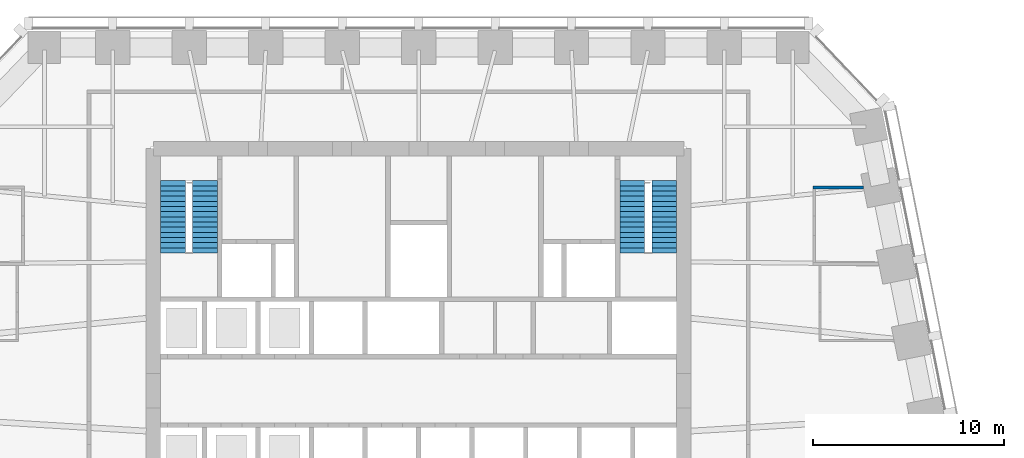
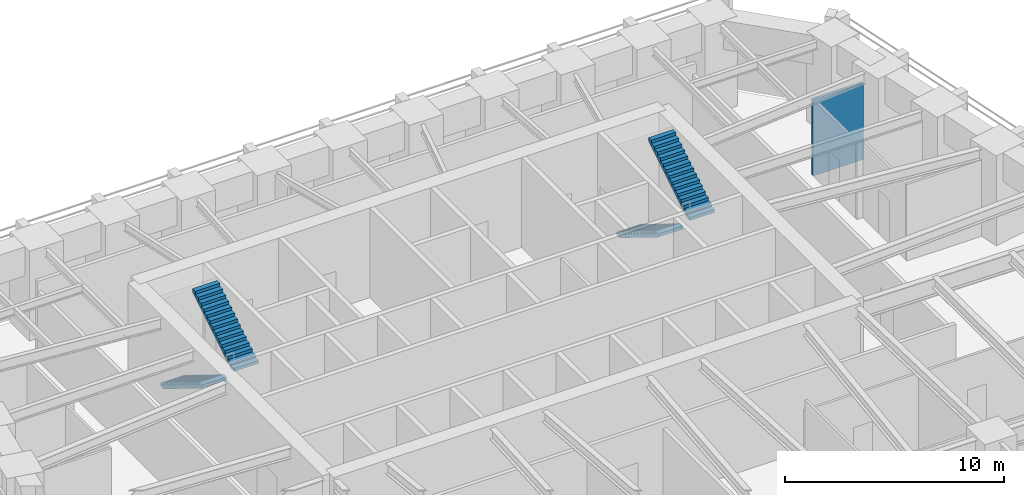
# One storey, part 8 of 11: 4 stair flights, 1 wall, 2 elements without a shape of their own.
"""IFC4 building model written with IfcOpenShell, lengths in metres."""

from ifc_helpers import new_model, si_unit, direction, frame, frame_2d, origin, place, context, subcontext, project, spatial, polyline, rectangle, outline, extrude, material, layer, layer_set, type_object, element, aggregate, save


model = new_model("IFC4")

# Units and contexts
model_context = context("Model", 3, precision=1e-05, world=origin(), true_north=direction((0.0, 1.0)))
body_context = subcontext(model_context, "Body", "Model", "MODEL_VIEW")
ifc_project = project(units=[si_unit("LENGTHUNIT", "METRE"), si_unit("AREAUNIT", "SQUARE_METRE"), si_unit("VOLUMEUNIT", "CUBIC_METRE"), si_unit("PLANEANGLEUNIT", "RADIAN"), si_unit("MASSUNIT", "GRAM", prefix="KILO")], contexts=[model_context])

# Site, building, storey
site_placement = place(None, origin())
site = spatial("IfcSite", under=ifc_project, at=site_placement, CompositionType="ELEMENT")
building_placement = place(site_placement, origin())
building = spatial("IfcBuilding", under=site, at=building_placement, Name="Isbrekke Arena Tower", CompositionType="ELEMENT")
storey_placement = place(building_placement, frame((0.0, 0.0, 98.0)))
storey = spatial("IfcBuildingStorey", under=building, at=storey_placement, Name="L21", CompositionType="ELEMENT", Elevation=98.0)

# Wall
ifc_material_1 = material(Name="Gypsum board partition on steel studs", Category="steel")
ifc_layer = layer(ifc_material_1, 0.14990234375)
ifc_layer_set = layer_set([ifc_layer], Name="IW1 PARTITION 150")
wall_type = type_object("IfcWallType", Name="IW1 PARTITION 150", PredefinedType="PARTITIONING", material=ifc_layer_set)
wall_placement = place(storey_placement, frame((20.625, 21.840087890625, 0.0), z_axis=(0.0, 0.0, 1.0), x_axis=(1.0, 0.0, 0.0)))
element("IfcWall", 1, at=wall_placement, inside=storey, type_object=wall_type, Name="IW1 partition 150 L21", PredefinedType="PARTITIONING", context=body_context, shape_type="SweptSolid", body=[
    extrude(rectangle(XDim=2.647705078125, YDim=0.14990234375, at=frame_2d((1.32373046875, 0.0))), origin(), (0.0, 0.0, 1.0), 4.25),
])

# Stair, stair flights
ifc_material_2 = material(Name="Concrete B45 (C45/55) precast", Category="concrete")
stair_type = type_object("IfcStairType", Name="ST50 STAIR 1300 WIDE, 30 RISERS 167", PredefinedType="HALF_TURN_STAIR", material=ifc_material_2)
stair_1_placement = place(storey_placement, origin())
stair_1 = element("IfcStair", 2, at=stair_1_placement, inside=storey, type_object=stair_type, Name="ST1 stair L21", PredefinedType="HALF_TURN_STAIR")
ifc_material_3 = material(Name="Concrete B45 (C45/55) precast", Category="concrete")
stair_flight_type = type_object("IfcStairFlightType", Name="SF 1300 FLIGHT", PredefinedType="STRAIGHT", material=ifc_material_3)
stair_flight_1_placement = place(storey_placement, frame((-12.85009765625, 22.199951171875, 0.0), z_axis=(0.0, 0.0, 1.0), x_axis=(0.0, -1.0, 0.0)))
stair_flight_1 = element("IfcStairFlight", 3, at=stair_flight_1_placement, type_object=stair_flight_type, Name="ST1 flight 1", NumberOfRisers=15, NumberOfTreads=14, PredefinedType="STRAIGHT", RiserHeight=0.166666667, TreadLength=0.27, context=body_context, shape_type="SweptSolid", body=[
    extrude(outline(polyline([(0.0, 0.0), (0.0, 0.166748046875), (0.27001953125, 0.166748046875), (0.27001953125, 0.333251953125), (0.5400390625, 0.333251953125), (0.5400390625, 0.5), (0.81005859375, 0.5), (0.81005859375, 0.666748046875), (1.080078125, 0.666748046875), (1.080078125, 0.833251953125), (1.35009765625, 0.833251953125), (1.35009765625, 1.0), (1.6201171875, 1.0), (1.6201171875, 1.166748046875), (1.889892578125, 1.166748046875), (1.889892578125, 1.333251953125), (2.159912109375, 1.333251953125), (2.159912109375, 1.5), (2.429931640625, 1.5), (2.429931640625, 1.666748046875), (2.699951171875, 1.666748046875), (2.699951171875, 1.833251953125), (2.969970703125, 1.833251953125), (2.969970703125, 2.0), (3.239990234375, 2.0), (3.239990234375, 2.166748046875), (3.510009765625, 2.166748046875), (3.510009765625, 2.333251953125), (3.780029296875, 2.333251953125), (3.780029296875, 2.5), (3.780029296875, 2.1572265625), (0.285400390625, 0.0), (0.0, 0.0)])), frame((0.0, 0.64990234375, 0.0), z_axis=(0.0, -1.0, 0.0), x_axis=(1.0, 0.0, 0.0)), (0.0, 0.0, 1.0), 1.300048828125),
])
stair_flight_2_placement = place(storey_placement, frame((-11.175048828125, 18.419921875, 2.5), z_axis=(0.0, 0.0, 1.0), x_axis=(0.0, 1.0, 0.0)))
stair_flight_2 = element("IfcStairFlight", 4, at=stair_flight_2_placement, type_object=stair_flight_type, Name="ST1 flight 2", NumberOfRisers=15, NumberOfTreads=14, PredefinedType="STRAIGHT", RiserHeight=0.166666667, TreadLength=0.27, context=body_context, shape_type="SweptSolid", body=[
    extrude(outline(polyline([(0.0, 0.0), (0.0, 0.166748046875), (0.27001953125, 0.166748046875), (0.27001953125, 0.333251953125), (0.5400390625, 0.333251953125), (0.5400390625, 0.5), (0.81005859375, 0.5), (0.81005859375, 0.666748046875), (1.080078125, 0.666748046875), (1.080078125, 0.833251953125), (1.35009765625, 0.833251953125), (1.35009765625, 1.0), (1.6201171875, 1.0), (1.6201171875, 1.166748046875), (1.889892578125, 1.166748046875), (1.889892578125, 1.333251953125), (2.159912109375, 1.333251953125), (2.159912109375, 1.5), (2.429931640625, 1.5), (2.429931640625, 1.666748046875), (2.699951171875, 1.666748046875), (2.699951171875, 1.833251953125), (2.969970703125, 1.833251953125), (2.969970703125, 2.0), (3.239990234375, 2.0), (3.239990234375, 2.166748046875), (3.510009765625, 2.166748046875), (3.510009765625, 2.333251953125), (3.780029296875, 2.333251953125), (3.780029296875, 2.5), (3.780029296875, 2.1572265625), (0.285400390625, 0.0), (0.0, 0.0)])), frame((0.0, 0.64990234375, 0.0), z_axis=(0.0, -1.0, 0.0), x_axis=(1.0, 0.0, 0.0)), (0.0, 0.0, 1.0), 1.300048828125),
])
aggregate(stair_1, [stair_flight_1, stair_flight_2])

stair_2_placement = place(storey_placement, origin())
stair_2 = element("IfcStair", 5, at=stair_2_placement, inside=storey, type_object=stair_type, Name="ST2 stair L21", PredefinedType="HALF_TURN_STAIR")
stair_flight_3_placement = place(storey_placement, frame((11.175048828125, 22.199951171875, 0.0), z_axis=(0.0, 0.0, 1.0), x_axis=(0.0, -1.0, 0.0)))
stair_flight_3 = element("IfcStairFlight", 6, at=stair_flight_3_placement, type_object=stair_flight_type, Name="ST2 flight 1", NumberOfRisers=15, NumberOfTreads=14, PredefinedType="STRAIGHT", RiserHeight=0.166666667, TreadLength=0.27, context=body_context, shape_type="SweptSolid", body=[
    extrude(outline(polyline([(0.0, 0.0), (0.0, 0.166748046875), (0.27001953125, 0.166748046875), (0.27001953125, 0.333251953125), (0.5400390625, 0.333251953125), (0.5400390625, 0.5), (0.81005859375, 0.5), (0.81005859375, 0.666748046875), (1.080078125, 0.666748046875), (1.080078125, 0.833251953125), (1.35009765625, 0.833251953125), (1.35009765625, 1.0), (1.6201171875, 1.0), (1.6201171875, 1.166748046875), (1.889892578125, 1.166748046875), (1.889892578125, 1.333251953125), (2.159912109375, 1.333251953125), (2.159912109375, 1.5), (2.429931640625, 1.5), (2.429931640625, 1.666748046875), (2.699951171875, 1.666748046875), (2.699951171875, 1.833251953125), (2.969970703125, 1.833251953125), (2.969970703125, 2.0), (3.239990234375, 2.0), (3.239990234375, 2.166748046875), (3.510009765625, 2.166748046875), (3.510009765625, 2.333251953125), (3.780029296875, 2.333251953125), (3.780029296875, 2.5), (3.780029296875, 2.1572265625), (0.285400390625, 0.0), (0.0, 0.0)])), frame((0.0, 0.64990234375, 0.0), z_axis=(0.0, -1.0, 0.0), x_axis=(1.0, 0.0, 0.0)), (0.0, 0.0, 1.0), 1.300048828125),
])
stair_flight_4_placement = place(storey_placement, frame((12.85009765625, 18.419921875, 2.5), z_axis=(0.0, 0.0, 1.0), x_axis=(0.0, 1.0, 0.0)))
stair_flight_4 = element("IfcStairFlight", 7, at=stair_flight_4_placement, type_object=stair_flight_type, Name="ST2 flight 2", NumberOfRisers=15, NumberOfTreads=14, PredefinedType="STRAIGHT", RiserHeight=0.166666667, TreadLength=0.27, context=body_context, shape_type="SweptSolid", body=[
    extrude(outline(polyline([(0.0, 0.0), (0.0, 0.166748046875), (0.27001953125, 0.166748046875), (0.27001953125, 0.333251953125), (0.5400390625, 0.333251953125), (0.5400390625, 0.5), (0.81005859375, 0.5), (0.81005859375, 0.666748046875), (1.080078125, 0.666748046875), (1.080078125, 0.833251953125), (1.35009765625, 0.833251953125), (1.35009765625, 1.0), (1.6201171875, 1.0), (1.6201171875, 1.166748046875), (1.889892578125, 1.166748046875), (1.889892578125, 1.333251953125), (2.159912109375, 1.333251953125), (2.159912109375, 1.5), (2.429931640625, 1.5), (2.429931640625, 1.666748046875), (2.699951171875, 1.666748046875), (2.699951171875, 1.833251953125), (2.969970703125, 1.833251953125), (2.969970703125, 2.0), (3.239990234375, 2.0), (3.239990234375, 2.166748046875), (3.510009765625, 2.166748046875), (3.510009765625, 2.333251953125), (3.780029296875, 2.333251953125), (3.780029296875, 2.5), (3.780029296875, 2.1572265625), (0.285400390625, 0.0), (0.0, 0.0)])), frame((0.0, 0.64990234375, 0.0), z_axis=(0.0, -1.0, 0.0), x_axis=(1.0, 0.0, 0.0)), (0.0, 0.0, 1.0), 1.300048828125),
])
aggregate(stair_2, [stair_flight_3, stair_flight_4])

save(model, "model.ifc")
